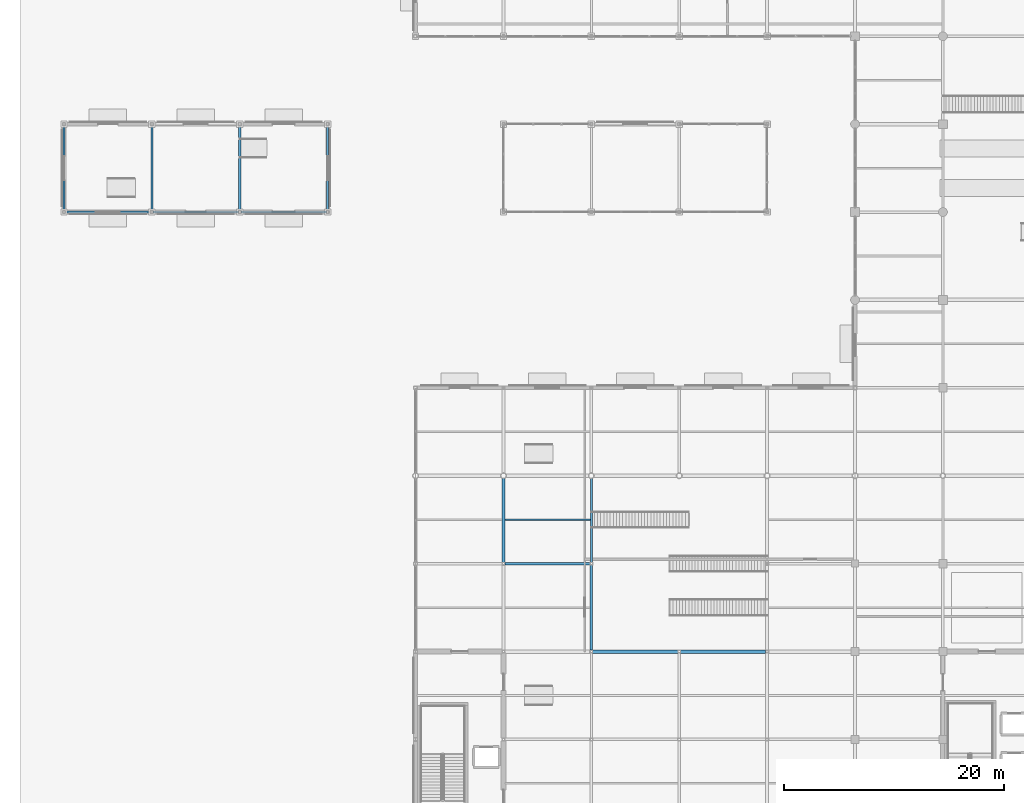
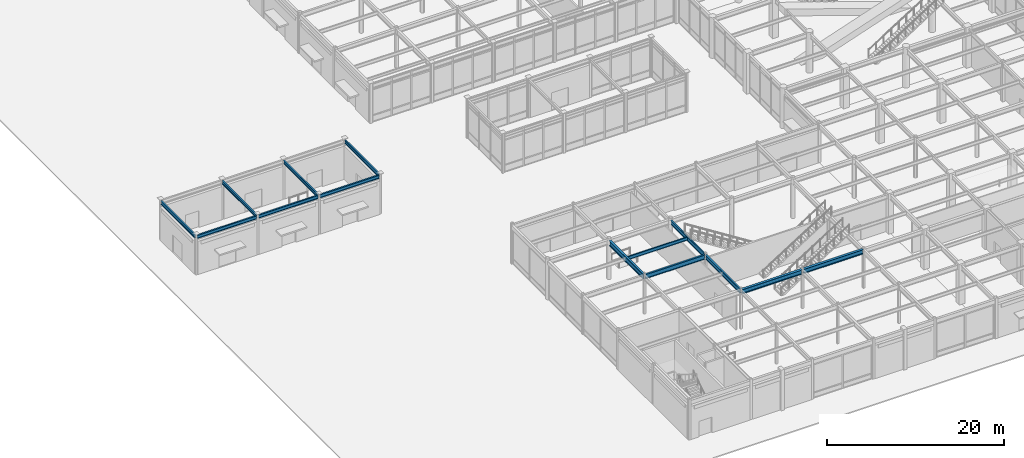
# One storey, part 38 of 128: 14 beams.
"""IFC4 building model written with IfcOpenShell, lengths in metres."""

import ifcopenshell
import ifcopenshell.guid

model = None  # the IFC model being written
_history = None  # IfcOwnerHistory: only IFC2X3 demands one
_inside = {}  # id of a spatial element -> (the spatial element, [elements in it])
_under = {}  # id of a project, library or spatial element -> (it, [spatial elements below it])
_declared = {}  # id of a project -> (the project, [libraries it declares])
_typed = {}  # id of a type object -> (the type object, [elements of that type])
_made_of = {}  # id of a material, layer set ... -> (it, [elements and type objects made of it])


def new_model(schema):
    """Start an empty IFC model of exactly this schema.

    Asked for "IFC4X3", IfcOpenShell would pick the latest addendum, in which some entities
    have other attributes; the version numbers below select the first issue.
    IFC2X3 requires an IfcOwnerHistory on every rooted entity: one is made here for all.
    """
    global model, _history
    if schema == "IFC4X3":
        model = ifcopenshell.file(schema_version=(4, 3, 0, 0))
    else:
        model = ifcopenshell.file(schema=schema)
    _inside.clear()
    _under.clear()
    _declared.clear()
    _typed.clear()
    _made_of.clear()
    _history = None
    if model.schema == "IFC2X3":
        org = make("IfcOrganization", Name="unknown")
        user = make(
            "IfcPersonAndOrganization",
            ThePerson=make("IfcPerson", FamilyName="unknown"),
            TheOrganization=org,
        )
        app = make(
            "IfcApplication",
            ApplicationDeveloper=org,
            Version="unknown",
            ApplicationFullName="unknown",
            ApplicationIdentifier="unknown",
        )
        _history = make(
            "IfcOwnerHistory",
            OwningUser=user,
            OwningApplication=app,
            ChangeAction="ADDED",
            CreationDate=0,
        )
    return model


def make(cls, **values):
    """One entity of the class cls with the attributes given. An attribute that is None is left unset."""
    return model.create_entity(
        cls, **{name: value for name, value in values.items() if value is not None}
    )


def rooted(cls, **values):
    """An entity with a GlobalId (a new one), such as an element, a storey or a relation."""
    return make(cls, GlobalId=ifcopenshell.guid.new(), OwnerHistory=_history, **values)


def si_unit(unit_type, name, prefix=None):
    """IfcSIUnit, for example si_unit("LENGTHUNIT", "METRE", prefix="MILLI")."""
    return make("IfcSIUnit", UnitType=unit_type, Prefix=prefix, Name=name)


def assignment(units):
    """IfcUnitAssignment: the units of a project."""
    return None if units is None else make("IfcUnitAssignment", Units=units)


def point(xyz):
    """IfcCartesianPoint."""
    return None if xyz is None else make("IfcCartesianPoint", Coordinates=xyz)


def direction(xyz):
    """IfcDirection."""
    return None if xyz is None else make("IfcDirection", DirectionRatios=xyz)


def frame(location, z_axis=None, x_axis=None):
    """IfcAxis2Placement3D, a coordinate frame: its origin and axes. An axis left out is left unset."""
    return make(
        "IfcAxis2Placement3D",
        Location=point(location),
        Axis=direction(z_axis),
        RefDirection=direction(x_axis),
    )


def frame_2d(location, x_axis=None):
    """IfcAxis2Placement2D, a coordinate frame in the plane: its origin and x axis."""
    return make(
        "IfcAxis2Placement2D", Location=point(location), RefDirection=direction(x_axis)
    )


def origin():
    """The frame at (0, 0, 0) with its axes left unset."""
    return frame((0.0, 0.0, 0.0))


def origin_2d():
    """The frame at (0, 0) in the plane with its x axis left unset."""
    return frame_2d((0.0, 0.0))


def place(relative_to, where):
    """IfcLocalPlacement: puts the frame where relative to a parent placement (None: the world)."""
    return make(
        "IfcLocalPlacement", PlacementRelTo=relative_to, RelativePlacement=where
    )


def context(
    kind, dimensions, precision=None, world=None, true_north=None, identifier=None
):
    """IfcGeometricRepresentationContext, for example the 3D "Model" context."""
    return make(
        "IfcGeometricRepresentationContext",
        ContextIdentifier=identifier,
        ContextType=kind,
        CoordinateSpaceDimension=dimensions,
        Precision=precision,
        WorldCoordinateSystem=world,
        TrueNorth=true_north,
    )


def subcontext(parent, identifier, kind, view, scale=None):
    """IfcGeometricRepresentationSubContext, for example "Body" below "Model"."""
    return make(
        "IfcGeometricRepresentationSubContext",
        ContextIdentifier=identifier,
        ContextType=kind,
        ParentContext=parent,
        TargetScale=scale,
        TargetView=view,
    )


def project(units=None, contexts=None):
    """IfcProject with its units and contexts."""
    return rooted(
        "IfcProject",
        Name="project",
        RepresentationContexts=contexts,
        UnitsInContext=assignment(units),
    )


def spatial(cls, under=None, at=None, **own):
    """A site, building, storey or space (cls), placed at a placement, below another one or the project."""
    s = rooted(cls, ObjectPlacement=at, **own)
    if under is not None:
        _under.setdefault(under.id(), (under, []))[1].append(s)
    return s


def profile(cls, at=None, kind="AREA", **sizes):
    """A parametric profile (cls). Its sizes go by their IFC names, for example OverallWidth=200.0."""
    return make(cls, ProfileType=kind, Position=at, **sizes)


def i_section(**sizes):
    """IfcIShapeProfileDef."""
    return profile("IfcIShapeProfileDef", **sizes)


def extrude(swept, where, along, depth):
    """IfcExtrudedAreaSolid: the profile swept, set in the frame where, extruded along a direction by depth."""
    return make(
        "IfcExtrudedAreaSolid",
        SweptArea=swept,
        Position=where,
        ExtrudedDirection=direction(along),
        Depth=depth,
    )


def shape(context_of_items, identifier, shape_type, items):
    """IfcShapeRepresentation: the items that make up one representation, for example the "Body"."""
    return make(
        "IfcShapeRepresentation",
        ContextOfItems=context_of_items,
        RepresentationIdentifier=identifier,
        RepresentationType=shape_type,
        Items=items,
    )


def material(Name=None, Category=None):
    """IfcMaterial."""
    return make("IfcMaterial", Name=Name, Category=Category)


def material_profile(
    of_material, cross_section, Name=None, Category=None, Priority=None
):
    """IfcMaterialProfile: a cross section and its material."""
    return make(
        "IfcMaterialProfile",
        Name=Name,
        Material=of_material,
        Profile=cross_section,
        Priority=Priority,
        Category=Category,
    )


def profile_set(profiles, Name=None, composite=None):
    """IfcMaterialProfileSet."""
    return make(
        "IfcMaterialProfileSet",
        Name=Name,
        MaterialProfiles=profiles,
        CompositeProfile=composite,
    )


def made_of(thing, what):
    """Note that an element or type object is made of a material, layer set ...; save() writes the relation."""
    if what is not None:
        _made_of.setdefault(what.id(), (what, []))[1].append(thing)
    return thing


def type_object(cls, material=None, **own):
    """A type object (cls), such as IfcWallType, which elements share."""
    return made_of(rooted(cls, **own), material)


def element(
    cls,
    number,
    at=None,
    inside=None,
    cuts=None,
    type_object=None,
    material=None,
    context=None,
    identifier="Body",
    shape_type=None,
    held_by="IfcProductDefinitionShape",
    body=None,
    shapes=None,
    **own,
):
    """One element of the class cls, such as IfcWall. Its Tag is "e" and its number.

    at: its placement. inside: the storey or other place that contains it. cuts: it is an
    opening in that element (IfcRelVoidsElement). A single representation is given by context,
    identifier, shape_type and body (its items); several are given by shapes. held_by: the class
    of the entity that holds the representations. save() writes the other relations.
    """
    e = rooted(cls, Tag="e%d" % number, ObjectPlacement=at, **own)
    if body is not None:
        shapes = [shape(context, identifier, shape_type, body)]
    if shapes is not None:
        e.Representation = make(held_by, Representations=shapes)
    if inside is not None:
        _inside.setdefault(inside.id(), (inside, []))[1].append(e)
    if cuts is not None:
        rooted(
            "IfcRelVoidsElement", RelatingBuildingElement=cuts, RelatedOpeningElement=e
        )
    if type_object is not None:
        _typed.setdefault(type_object.id(), (type_object, []))[1].append(e)
    return made_of(e, material)


def aggregate(whole, parts):
    """IfcRelAggregates: a whole, such as a stair, and the parts it consists of."""
    return rooted("IfcRelAggregates", RelatingObject=whole, RelatedObjects=parts)


def save(model, path):
    """Write the relations noted so far, then the file.

    IfcRelAggregates (storeys below a building ...), IfcRelContainedInSpatialStructure (elements
    in a storey), IfcRelDefinesByType, IfcRelAssociatesMaterial and IfcRelDeclares: one each for
    every whole, place, type object, material and project.
    """
    for whole, parts in _under.values():
        aggregate(whole, parts)
    for where, things in _inside.values():
        rooted(
            "IfcRelContainedInSpatialStructure",
            RelatedElements=things,
            RelatingStructure=where,
        )
    for kind, things in _typed.values():
        rooted("IfcRelDefinesByType", RelatedObjects=things, RelatingType=kind)
    for what, things in _made_of.values():
        rooted("IfcRelAssociatesMaterial", RelatedObjects=things, RelatingMaterial=what)
    for by, libraries in _declared.values():
        rooted("IfcRelDeclares", RelatingContext=by, RelatedDefinitions=libraries)
    model.write(path)


model = new_model("IFC4")

# Units and contexts
model_context = context("Model", 3, precision=1e-05, world=origin(), true_north=direction((0.0, 1.0)))
body_context = subcontext(model_context, "Body", "Model", "MODEL_VIEW")
ifc_project = project(units=[si_unit("LENGTHUNIT", "METRE"), si_unit("AREAUNIT", "SQUARE_METRE"), si_unit("VOLUMEUNIT", "CUBIC_METRE"), si_unit("PLANEANGLEUNIT", "RADIAN"), si_unit("MASSUNIT", "GRAM", prefix="KILO")], contexts=[model_context])

# Site, building, storey
site_placement = place(None, origin())
site = spatial("IfcSite", under=ifc_project, at=site_placement, CompositionType="ELEMENT")
building_placement = place(site_placement, origin())
building = spatial("IfcBuilding", under=site, at=building_placement, Name="Solmirada Galleria", CompositionType="ELEMENT")
storey_placement = place(building_placement, origin())
storey = spatial("IfcBuildingStorey", under=building, at=storey_placement, Name="L00", CompositionType="ELEMENT", Elevation=0.0)

# Beams
ifc_material = material(Name="Steel S355 / ASTM A992 Grade 50", Category="steel")
ifc_material_profile_1 = material_profile(ifc_material, i_section(OverallWidth=0.193115234375, OverallDepth=0.466064453125, WebThickness=0.011474609375, FlangeThickness=0.01904296875, FilletRadius=0.013916015625, at=origin_2d()), Name="W18X65")
ifc_profile_set_1 = profile_set([ifc_material_profile_1], Name="Steel S355 / ASTM A992 Grade 50")
beam_type_1 = type_object("IfcBeamType", Name="BM-GIRD-W18C", PredefinedType="BEAM", material=ifc_profile_set_1)
for number, where, z_axis, x_axis, name in (
    (1, (8.126953125, 56.0, 5.139892578125), (1.0, 0.0, 0.0), (0.0, 1.0, 0.0), "West portal roof girder X=8..16"),
    (2, (16.126953125, 56.0, 5.139892578125), (1.0, 0.0, 0.0), (0.0, 1.0, 0.0), "West portal roof girder X=16..24"),
    (3, (24.126953125, 56.0, 5.139892578125), (1.0, 0.0, 0.0), (0.0, 1.0, 0.0), "West portal roof girder X=24..32"),
    (4, (8.0, 56.126953125, 5.139892578125), (0.0, 1.0, 0.0), (-1.0, 0.0, 0.0), "West portal transverse girder X=8"),
    (5, (16.0, 56.126953125, 5.139892578125), (0.0, 1.0, 0.0), (-1.0, 0.0, 0.0), "West portal transverse girder X=16"),
    (6, (24.0, 56.126953125, 5.139892578125), (0.0, 1.0, 0.0), (-1.0, 0.0, 0.0), "West portal transverse girder X=24"),
    (7, (32.0, 56.126953125, 5.139892578125), (0.0, 1.0, 0.0), (-1.0, 0.0, 0.0), "West portal transverse girder X=32"),
):
    element("IfcBeam", number, at=place(storey_placement, frame(where, z_axis=z_axis, x_axis=x_axis)), inside=storey, type_object=beam_type_1, Name=name, PredefinedType="BEAM", context=body_context, shape_type="SweptSolid", body=[
        extrude(i_section(OverallWidth=0.193115234375, OverallDepth=0.466064453125, WebThickness=0.011474609375, FlangeThickness=0.01904296875, FilletRadius=0.013916015625, at=origin_2d()), origin(), (0.0, 0.0, 1.0), 7.74609375),
    ])
ifc_material_profile_2 = material_profile(ifc_material, i_section(OverallWidth=0.323974609375, OverallDepth=0.611083984375, WebThickness=0.0126953125, FlangeThickness=0.01904296875, FilletRadius=0.014892578125, at=origin_2d()), Name="W24X104")
ifc_profile_set_2 = profile_set([ifc_material_profile_2], Name="Steel S355 / ASTM A992 Grade 50")
beam_type_2 = type_object("IfcBeamType", Name="BM-GIRD-W24A", PredefinedType="BEAM", material=ifc_profile_set_2)
for number, where, z_axis, x_axis, name in (
    (8, (56.126953125, 16.0, 5.074462890625), (1.0, 0.0, 0.0), (0.0, 1.0, 0.0), "Primary beam L01 X(56..64, 16)"),
    (9, (64.126953125, 16.0, 5.074462890625), (1.0, 0.0, 0.0), (0.0, 1.0, 0.0), "Primary beam L01 X(64..72, 16)"),
):
    element("IfcBeam", number, at=place(storey_placement, frame(where, z_axis=z_axis, x_axis=x_axis)), inside=storey, type_object=beam_type_2, Name=name, PredefinedType="BEAM", context=body_context, shape_type="SweptSolid", body=[
        extrude(i_section(OverallWidth=0.323974609375, OverallDepth=0.611083984375, WebThickness=0.0126953125, FlangeThickness=0.01904296875, FilletRadius=0.014892578125, at=origin_2d()), origin(), (0.0, 0.0, 1.0), 7.74609375),
    ])
ifc_material_profile_3 = material_profile(ifc_material, i_section(OverallWidth=0.22900390625, OverallDepth=0.612060546875, WebThickness=0.011962890625, FlangeThickness=0.01953125, FilletRadius=0.014892578125, at=origin_2d()), Name="W24X84")
ifc_profile_set_3 = profile_set([ifc_material_profile_3], Name="Steel S355 / ASTM A992 Grade 50")
beam_type_3 = type_object("IfcBeamType", Name="BM-GIRD-W24B", PredefinedType="BEAM", material=ifc_profile_set_3)
beam_1_placement = place(storey_placement, frame((48.126953125, 24.0, 5.073974609375), z_axis=(1.0, 0.0, 0.0), x_axis=(0.0, 1.0, 0.0)))
element("IfcBeam", 10, at=beam_1_placement, inside=storey, type_object=beam_type_3, Name="Primary beam L01 X(48..56, 24)", PredefinedType="BEAM", context=body_context, shape_type="SweptSolid", body=[
    extrude(i_section(OverallWidth=0.22900390625, OverallDepth=0.612060546875, WebThickness=0.011962890625, FlangeThickness=0.01953125, FilletRadius=0.014892578125, at=origin_2d()), origin(), (0.0, 0.0, 1.0), 7.74609375),
])
ifc_material_profile_4 = material_profile(ifc_material, i_section(OverallWidth=0.22802734375, OverallDepth=0.60302734375, WebThickness=0.010498046875, FlangeThickness=0.014892578125, FilletRadius=0.014892578125, at=origin_2d()), Name="W24X68")
ifc_profile_set_4 = profile_set([ifc_material_profile_4], Name="Steel S355 / ASTM A992 Grade 50")
beam_type_4 = type_object("IfcBeamType", Name="BM-GIRD-W24C", PredefinedType="BEAM", material=ifc_profile_set_4)
beam_2_placement = place(storey_placement, frame((56.0, 16.126953125, 5.07861328125), z_axis=(0.0, 1.0, 0.0), x_axis=(-1.0, 0.0, 0.0)))
element("IfcBeam", 11, at=beam_2_placement, inside=storey, type_object=beam_type_4, Name="Primary girder L01 Y(56, 16..24)", PredefinedType="BEAM", context=body_context, shape_type="SweptSolid", body=[
    extrude(i_section(OverallWidth=0.22802734375, OverallDepth=0.60302734375, WebThickness=0.010498046875, FlangeThickness=0.014892578125, FilletRadius=0.014892578125, at=origin_2d()), origin(), (0.0, 0.0, 1.0), 7.74609375),
])
ifc_material_profile_5 = material_profile(ifc_material, i_section(OverallWidth=0.177978515625, OverallDepth=0.59912109375, WebThickness=0.010009765625, FlangeThickness=0.0126953125, FilletRadius=0.013916015625, at=origin_2d()), Name="W24X55")
ifc_profile_set_5 = profile_set([ifc_material_profile_5], Name="Steel S355 / ASTM A992 Grade 50")
beam_type_5 = type_object("IfcBeamType", Name="BM-GIRD-W24D", PredefinedType="BEAM", material=ifc_profile_set_5)
beam_3_placement = place(storey_placement, frame((56.0, 24.126953125, 5.08056640625), z_axis=(0.0, 1.0, 0.0), x_axis=(-1.0, 0.0, 0.0)))
element("IfcBeam", 12, at=beam_3_placement, inside=storey, type_object=beam_type_5, Name="Primary girder L01 Y(56, 24..32)", PredefinedType="BEAM", context=body_context, shape_type="SweptSolid", body=[
    extrude(i_section(OverallWidth=0.177978515625, OverallDepth=0.59912109375, WebThickness=0.010009765625, FlangeThickness=0.0126953125, FilletRadius=0.013916015625, at=origin_2d()), origin(), (0.0, 0.0, 1.0), 7.65966796875),
])
ifc_material_profile_6 = material_profile(ifc_material, i_section(OverallWidth=0.256103515625, OverallDepth=0.693115234375, WebThickness=0.014404296875, FlangeThickness=0.023681640625, FilletRadius=0.01806640625, at=origin_2d()), Name="W27X114")
ifc_profile_set_6 = profile_set([ifc_material_profile_6], Name="Steel S355 / ASTM A992 Grade 50")
beam_type_6 = type_object("IfcBeamType", Name="BM-GIRD-W27A", PredefinedType="BEAM", material=ifc_profile_set_6)
beam_4_placement = place(storey_placement, frame((48.0, 24.126953125, 5.033447265625), z_axis=(0.0, 1.0, 0.0), x_axis=(-1.0, 0.0, 0.0)))
element("IfcBeam", 13, at=beam_4_placement, inside=storey, type_object=beam_type_6, Name="Primary girder L01 Y(48, 24..32)", PredefinedType="BEAM", context=body_context, shape_type="SweptSolid", body=[
    extrude(i_section(OverallWidth=0.256103515625, OverallDepth=0.693115234375, WebThickness=0.014404296875, FlangeThickness=0.023681640625, FilletRadius=0.01806640625, at=origin_2d()), origin(), (0.0, 0.0, 1.0), 7.65966796875),
])
ifc_material_profile_7 = material_profile(ifc_material, i_section(OverallWidth=0.153076171875, OverallDepth=0.455078125, WebThickness=0.008056640625, FlangeThickness=0.01318359375, FilletRadius=0.011962890625, at=origin_2d()), Name="W18X40")
ifc_profile_set_7 = profile_set([ifc_material_profile_7], Name="Steel S355 / ASTM A992 Grade 50")
beam_type_7 = type_object("IfcBeamType", Name="BM-JST-W18A", PredefinedType="JOIST", material=ifc_profile_set_7)
beam_5_placement = place(storey_placement, frame((48.1279296875, 28.0, 5.152587890625), z_axis=(1.0, 0.0, 0.0), x_axis=(0.0, 1.0, 0.0)))
element("IfcBeam", 14, at=beam_5_placement, inside=storey, type_object=beam_type_7, Name="Composite floor joist L01 (48..56, 28.0)", PredefinedType="JOIST", context=body_context, shape_type="SweptSolid", body=[
    extrude(i_section(OverallWidth=0.153076171875, OverallDepth=0.455078125, WebThickness=0.008056640625, FlangeThickness=0.01318359375, FilletRadius=0.011962890625, at=origin_2d()), origin(), (0.0, 0.0, 1.0), 7.782958984375),
])

save(model, "model.ifc")
